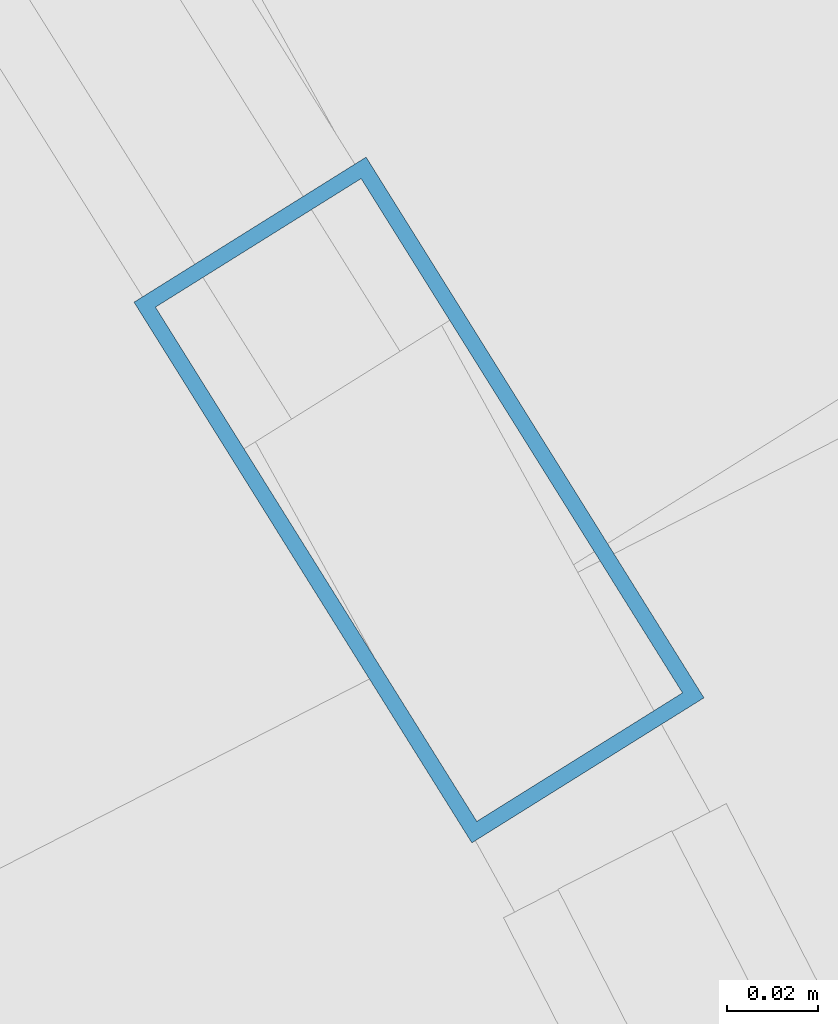
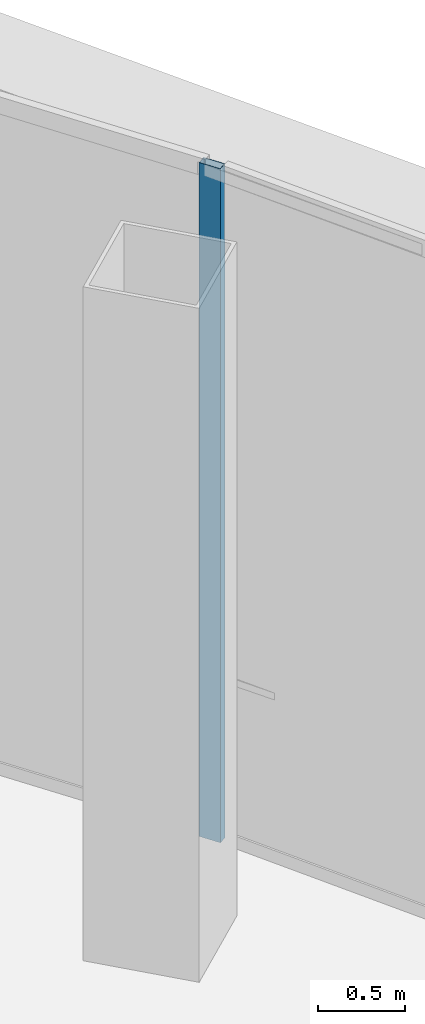
# One storey, part 18 of 29: 1 member, 1 element without a shape of its own.
"""IFC4 building model written with IfcOpenShell, lengths in metres."""

from ifc_helpers import new_model, si_unit, direction, frame, origin, origin_2d, place, context, subcontext, project, spatial, hollow_rectangle, extrude, source, transform, mapped, material, layer, layer_set, material_profile, profile_set, type_object, element, aggregate, save


model = new_model("IFC4")

# Units and contexts
model_context = context("Model", 3, precision=1e-05, world=origin(), true_north=direction((0.0, 1.0)))
body_context = subcontext(model_context, "Body", "Model", "MODEL_VIEW")
ifc_project = project(units=[si_unit("LENGTHUNIT", "METRE"), si_unit("AREAUNIT", "SQUARE_METRE"), si_unit("VOLUMEUNIT", "CUBIC_METRE"), si_unit("PLANEANGLEUNIT", "RADIAN"), si_unit("MASSUNIT", "GRAM", prefix="KILO"), si_unit("THERMODYNAMICTEMPERATUREUNIT", "KELVIN"), si_unit("POWERUNIT", "WATT")], contexts=[model_context])

# Site, building, storey
site_placement = place(None, origin())
site = spatial("IfcSite", under=ifc_project, at=site_placement, CompositionType="ELEMENT")
building_placement = place(site_placement, origin())
building = spatial("IfcBuilding", under=site, at=building_placement, Name="Yunzhuo Pagoda Commons", CompositionType="ELEMENT")
storey_placement = place(building_placement, frame((0.0, 0.0, 366.760009765625)))
storey = spatial("IfcBuildingStorey", under=building, at=storey_placement, Name="L92", CompositionType="ELEMENT", Elevation=366.760009765625)

# Curtain wall, member
ifc_material = material(Name="Anodized aluminium 6063-T6", Category="aluminium")
ifc_layer = layer(ifc_material, 0.139892578125)
ifc_layer_set = layer_set([ifc_layer], Name="Anodized aluminium 6063-T6")
curtain_wall_type = type_object("IfcCurtainWallType", Name="CW-HI High-Zone Ribbon Curtain Wall", PredefinedType="NOTDEFINED", material=ifc_layer_set)
curtain_wall_placement = place(storey_placement, origin())
curtain_wall = element("IfcCurtainWall", 1, at=curtain_wall_placement, inside=storey, type_object=curtain_wall_type, Name="L92 curtain wall CW-L92-F2B4", PredefinedType="NOTDEFINED")
ifc_material_profile = material_profile(ifc_material, hollow_rectangle(XDim=0.06005859375, YDim=0.139892578125, WallThickness=0.00341796875, at=origin_2d()), Name="Anodized aluminium 6063-T6")
ifc_profile_set = profile_set([ifc_material_profile], Name="Anodized aluminium 6063-T6")
member_type = type_object("IfcMemberType", Name="CW-HI-M Mullion RHS 140x60x3.5", PredefinedType="MULLION", material=ifc_profile_set)
shared_shape = source(origin(), body_context, "Body", "SweptSolid", [
    extrude(hollow_rectangle(XDim=0.06005859375, YDim=0.139892578125, WallThickness=0.00341796875, at=origin_2d()), origin(), (0.0, 0.0, 1.0), 4.72021484375),
])
member_placement = place(storey_placement, frame((64.789306640625, 48.85693359375, 0.0), z_axis=(0.0, 0.0, 1.0), x_axis=(-0.848055012826, -0.529908195087, 0.0)))
member = element("IfcMember", 2, at=member_placement, type_object=member_type, Name="CW mullion 1", PredefinedType="MULLION", context=body_context, shape_type="MappedRepresentation", body=[
    mapped(shared_shape, transform((0.0, 0.0, 0.0), scale=1.0)),
])
aggregate(curtain_wall, [member])

save(model, "model.ifc")
